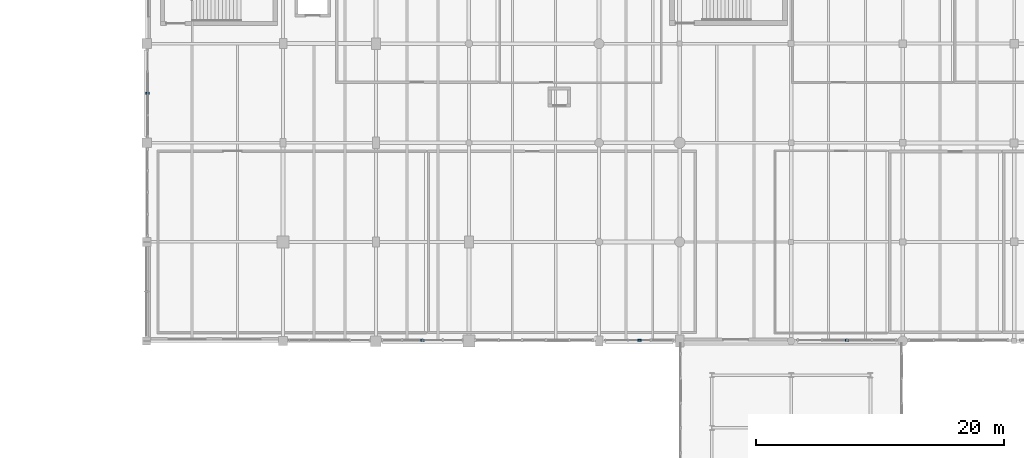
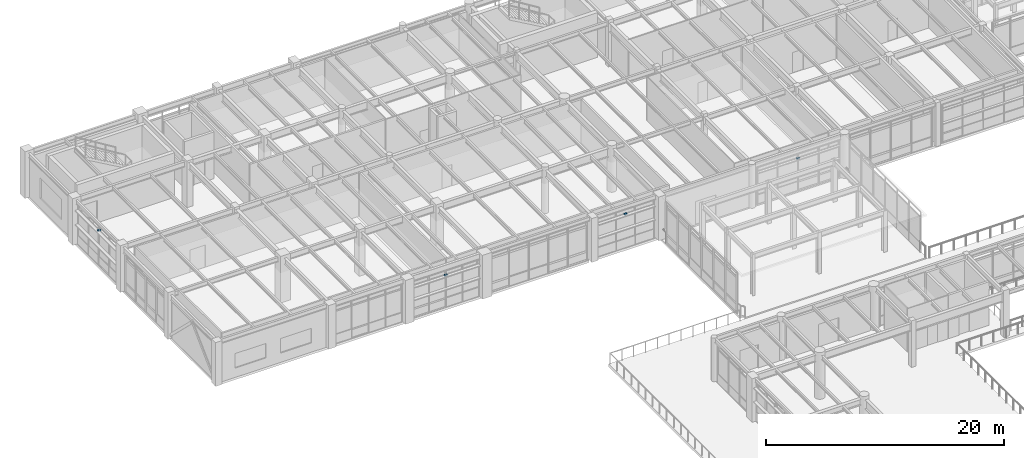
# One storey, part 186 of 200: 4 discrete accessories.
"""IFC4 building model written with IfcOpenShell, lengths in metres."""

from ifc_helpers import new_model, si_unit, direction, frame, origin, origin_2d, place, context, subcontext, project, spatial, rectangle, extrude, material, type_object, element, save


model = new_model("IFC4")

# Units and contexts
model_context = context("Model", 3, precision=1e-05, world=origin(), true_north=direction((0.0, 1.0)))
body_context = subcontext(model_context, "Body", "Model", "MODEL_VIEW")
ifc_project = project(units=[si_unit("LENGTHUNIT", "METRE"), si_unit("AREAUNIT", "SQUARE_METRE"), si_unit("VOLUMEUNIT", "CUBIC_METRE"), si_unit("PLANEANGLEUNIT", "RADIAN"), si_unit("MASSUNIT", "GRAM", prefix="KILO"), si_unit("THERMODYNAMICTEMPERATUREUNIT", "KELVIN"), si_unit("POWERUNIT", "WATT")], contexts=[model_context])

# Site, building, storey
site_placement = place(None, origin())
site = spatial("IfcSite", under=ifc_project, at=site_placement, CompositionType="ELEMENT")
building_placement = place(site_placement, origin())
building = spatial("IfcBuilding", under=site, at=building_placement, Name="Tepalcoro Natatorium and Aquatics Centre", CompositionType="ELEMENT")
storey_placement = place(building_placement, frame((0.0, 0.0, 5.39990234375)))
storey = spatial("IfcBuildingStorey", under=building, at=storey_placement, Name="L01", CompositionType="ELEMENT", Elevation=5.39990234375)

# Discrete accessories
ifc_material_1 = material(Name="Plate Steel ASTM A572 Grade 50 (Fy 345 MPa)", Category="steel")
discrete_accessory_type_1 = type_object("IfcDiscreteAccessoryType", Name="BRK_FACADE_GALV", PredefinedType="BRACKET", material=ifc_material_1)
for number, where, z_axis, x_axis, name in (
    (1, (32.25, 86.05615234375, 3.22802734375), (0.0, 0.0, 1.0), (1.0, 0.0, 0.0), "Solar Shading Outrigger Bracket BRK_FACADE_GALV"),
    (2, (49.75, 86.05615234375, 3.38037109375), (0.0, 0.0, 1.0), (1.0, 0.0, 0.0), "Solar Shading Outrigger Bracket BRK_FACADE_GALV"),
    (3, (10.06494140625, 106.0, 3.50732421875), (0.0, 0.0, 1.0), (1.0, 0.0, 0.0), "Solar Shading Outrigger Bracket BRK_FACADE_GALV"),
):
    element("IfcDiscreteAccessory", number, at=place(storey_placement, frame(where, z_axis=z_axis, x_axis=x_axis)), inside=storey, type_object=discrete_accessory_type_1, Name=name, PredefinedType="BRACKET", context=body_context, shape_type="SweptSolid", body=[
        extrude(rectangle(XDim=0.280029296875, YDim=0.159912109375, at=origin_2d()), origin(), (0.0, 0.0, 1.0), 0.159912109375),
    ])
ifc_material_2 = material(Name="Marine-Grade Brushed Stainless Steel AISI 316L", Category="steel")
discrete_accessory_type_2 = type_object("IfcDiscreteAccessoryType", Name="BRK_SEISMIC_SS", PredefinedType="BRACKET", material=ifc_material_2)
discrete_accessory_placement = place(storey_placement, frame((66.5, 86.05615234375, 3.22802734375), z_axis=(0.0, 0.0, 1.0), x_axis=(1.0, 0.0, 0.0)))
element("IfcDiscreteAccessory", 4, at=discrete_accessory_placement, inside=storey, type_object=discrete_accessory_type_2, Name="Solar Shading Outrigger Bracket BRK_SEISMIC_SS", PredefinedType="BRACKET", context=body_context, shape_type="SweptSolid", body=[
    extrude(rectangle(XDim=0.280029296875, YDim=0.159912109375, at=origin_2d()), origin(), (0.0, 0.0, 1.0), 0.159912109375),
])

save(model, "model.ifc")
